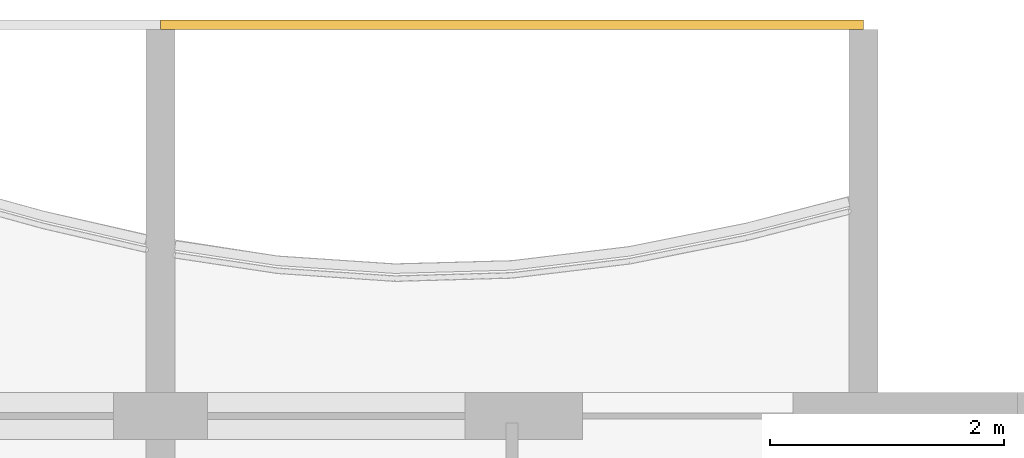
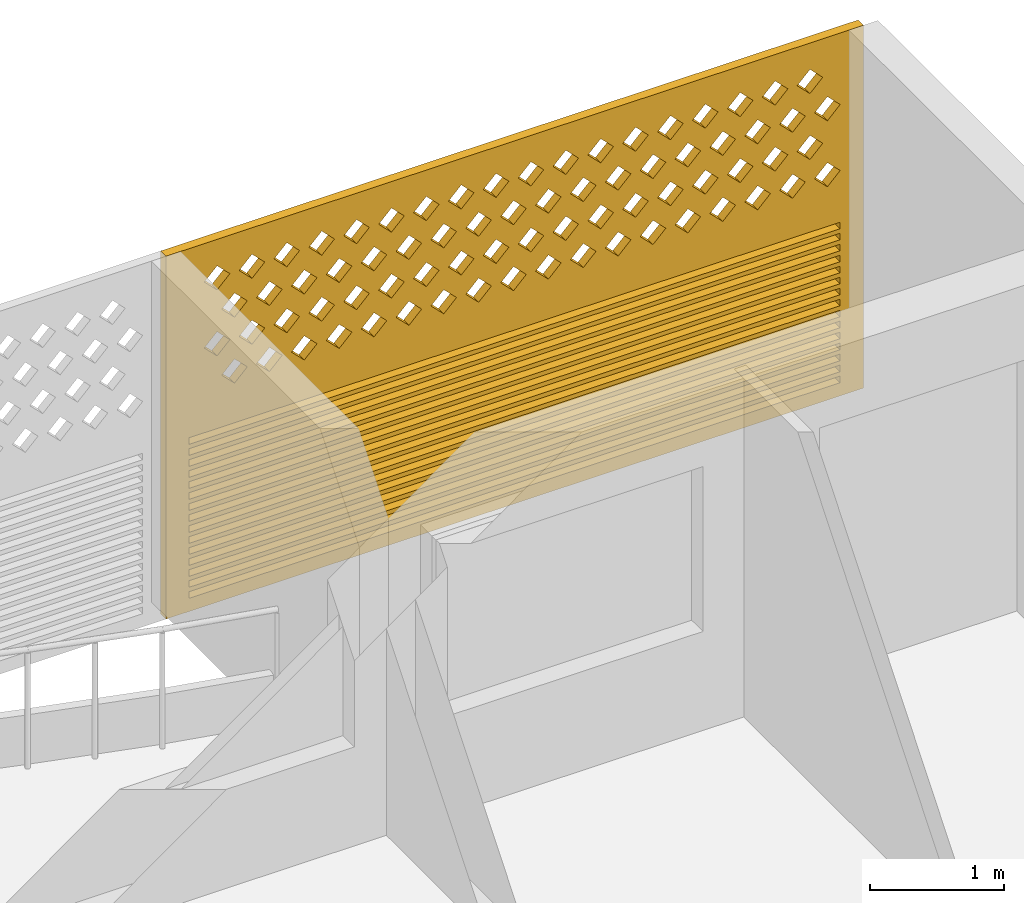
# One storey, part 26 of 26: 1 covering.
"""IFC4 building model written with IfcOpenShell, lengths in metres."""

from ifc_helpers import new_model, si_unit, direction, frame, origin, place, context, subcontext, project, spatial, polyline, outline, extrude, source, transform, mapped, material, material_profile, profile_set, type_object, element, save


model = new_model("IFC4")

# Units and contexts
model_context = context("Model", 3, precision=1e-05, world=origin(), true_north=direction((0.0, 1.0)))
body_context = subcontext(model_context, "Body", "Model", "MODEL_VIEW")
ifc_project = project(units=[si_unit("LENGTHUNIT", "METRE"), si_unit("AREAUNIT", "SQUARE_METRE"), si_unit("VOLUMEUNIT", "CUBIC_METRE"), si_unit("PLANEANGLEUNIT", "RADIAN"), si_unit("MASSUNIT", "GRAM", prefix="KILO")], contexts=[model_context])

# Site, building, storey
site_placement = place(None, origin())
site = spatial("IfcSite", under=ifc_project, at=site_placement, CompositionType="ELEMENT")
building_placement = place(site_placement, origin())
building = spatial("IfcBuilding", under=site, at=building_placement, Name="Poui Terraces", CompositionType="ELEMENT")
storey_placement = place(building_placement, frame((0.0, 0.0, 178.5)))
storey = spatial("IfcBuildingStorey", under=building, at=storey_placement, Name="L49", CompositionType="ELEMENT", Elevation=178.5)

# Covering
ifc_material = material(Name="Terracotta screen", Category="masonry")
ifc_material_profile = material_profile(ifc_material, outline(polyline([(-3.0, -1.64990234375), (3.0, -1.64990234375), (3.0, 1.64990234375), (-3.0, 1.64990234375), (-3.0, -1.64990234375)]), holes=[polyline([(-2.800048828125, 0.39990234375), (-2.68994140625, 0.2900390625), (-2.580078125, 0.39990234375), (-2.68994140625, 0.510009765625), (-2.800048828125, 0.39990234375)]), polyline([(-2.5, 0.39990234375), (-2.389892578125, 0.2900390625), (-2.280029296875, 0.39990234375), (-2.389892578125, 0.510009765625), (-2.5, 0.39990234375)]), polyline([(-2.199951171875, 0.39990234375), (-2.090087890625, 0.2900390625), (-1.97998046875, 0.39990234375), (-2.090087890625, 0.510009765625), (-2.199951171875, 0.39990234375)]), polyline([(-1.89990234375, 0.39990234375), (-1.7900390625, 0.2900390625), (-1.679931640625, 0.39990234375), (-1.7900390625, 0.510009765625), (-1.89990234375, 0.39990234375)]), polyline([(-1.60009765625, 0.39990234375), (-1.489990234375, 0.2900390625), (-1.3798828125, 0.39990234375), (-1.489990234375, 0.510009765625), (-1.60009765625, 0.39990234375)]), polyline([(-1.300048828125, 0.39990234375), (-1.18994140625, 0.2900390625), (-1.080078125, 0.39990234375), (-1.18994140625, 0.510009765625), (-1.300048828125, 0.39990234375)]), polyline([(-1.0, 0.39990234375), (-0.889892578125, 0.2900390625), (-0.780029296875, 0.39990234375), (-0.889892578125, 0.510009765625), (-1.0, 0.39990234375)]), polyline([(-0.699951171875, 0.39990234375), (-0.590087890625, 0.2900390625), (-0.47998046875, 0.39990234375), (-0.590087890625, 0.510009765625), (-0.699951171875, 0.39990234375)]), polyline([(-0.39990234375, 0.39990234375), (-0.2900390625, 0.2900390625), (-0.179931640625, 0.39990234375), (-0.2900390625, 0.510009765625), (-0.39990234375, 0.39990234375)]), polyline([(-0.10009765625, 0.39990234375), (0.010009765625, 0.2900390625), (0.1201171875, 0.39990234375), (0.010009765625, 0.510009765625), (-0.10009765625, 0.39990234375)]), polyline([(0.199951171875, 0.39990234375), (0.31005859375, 0.2900390625), (0.419921875, 0.39990234375), (0.31005859375, 0.510009765625), (0.199951171875, 0.39990234375)]), polyline([(0.5, 0.39990234375), (0.610107421875, 0.2900390625), (0.719970703125, 0.39990234375), (0.610107421875, 0.510009765625), (0.5, 0.39990234375)]), polyline([(0.800048828125, 0.39990234375), (0.909912109375, 0.2900390625), (1.02001953125, 0.39990234375), (0.909912109375, 0.510009765625), (0.800048828125, 0.39990234375)]), polyline([(1.10009765625, 0.39990234375), (1.2099609375, 0.2900390625), (1.320068359375, 0.39990234375), (1.2099609375, 0.510009765625), (1.10009765625, 0.39990234375)]), polyline([(1.39990234375, 0.39990234375), (1.510009765625, 0.2900390625), (1.6201171875, 0.39990234375), (1.510009765625, 0.510009765625), (1.39990234375, 0.39990234375)]), polyline([(1.699951171875, 0.39990234375), (1.81005859375, 0.2900390625), (1.919921875, 0.39990234375), (1.81005859375, 0.510009765625), (1.699951171875, 0.39990234375)]), polyline([(2.0, 0.39990234375), (2.110107421875, 0.2900390625), (2.219970703125, 0.39990234375), (2.110107421875, 0.510009765625), (2.0, 0.39990234375)]), polyline([(2.300048828125, 0.39990234375), (2.409912109375, 0.2900390625), (2.52001953125, 0.39990234375), (2.409912109375, 0.510009765625), (2.300048828125, 0.39990234375)]), polyline([(-2.64990234375, 0.699951171875), (-2.5400390625, 0.590087890625), (-2.429931640625, 0.699951171875), (-2.5400390625, 0.81005859375), (-2.64990234375, 0.699951171875)]), polyline([(-2.35009765625, 0.699951171875), (-2.239990234375, 0.590087890625), (-2.1298828125, 0.699951171875), (-2.239990234375, 0.81005859375), (-2.35009765625, 0.699951171875)]), polyline([(-2.050048828125, 0.699951171875), (-1.93994140625, 0.590087890625), (-1.830078125, 0.699951171875), (-1.93994140625, 0.81005859375), (-2.050048828125, 0.699951171875)]), polyline([(-1.75, 0.699951171875), (-1.639892578125, 0.590087890625), (-1.530029296875, 0.699951171875), (-1.639892578125, 0.81005859375), (-1.75, 0.699951171875)]), polyline([(-1.449951171875, 0.699951171875), (-1.340087890625, 0.590087890625), (-1.22998046875, 0.699951171875), (-1.340087890625, 0.81005859375), (-1.449951171875, 0.699951171875)]), polyline([(-1.14990234375, 0.699951171875), (-1.0400390625, 0.590087890625), (-0.929931640625, 0.699951171875), (-1.0400390625, 0.81005859375), (-1.14990234375, 0.699951171875)]), polyline([(-0.85009765625, 0.699951171875), (-0.739990234375, 0.590087890625), (-0.6298828125, 0.699951171875), (-0.739990234375, 0.81005859375), (-0.85009765625, 0.699951171875)]), polyline([(-0.550048828125, 0.699951171875), (-0.43994140625, 0.590087890625), (-0.330078125, 0.699951171875), (-0.43994140625, 0.81005859375), (-0.550048828125, 0.699951171875)]), polyline([(-0.25, 0.699951171875), (-0.139892578125, 0.590087890625), (-0.030029296875, 0.699951171875), (-0.139892578125, 0.81005859375), (-0.25, 0.699951171875)]), polyline([(0.050048828125, 0.699951171875), (0.159912109375, 0.590087890625), (0.27001953125, 0.699951171875), (0.159912109375, 0.81005859375), (0.050048828125, 0.699951171875)]), polyline([(0.35009765625, 0.699951171875), (0.4599609375, 0.590087890625), (0.570068359375, 0.699951171875), (0.4599609375, 0.81005859375), (0.35009765625, 0.699951171875)]), polyline([(0.64990234375, 0.699951171875), (0.760009765625, 0.590087890625), (0.8701171875, 0.699951171875), (0.760009765625, 0.81005859375), (0.64990234375, 0.699951171875)]), polyline([(0.949951171875, 0.699951171875), (1.06005859375, 0.590087890625), (1.169921875, 0.699951171875), (1.06005859375, 0.81005859375), (0.949951171875, 0.699951171875)]), polyline([(1.25, 0.699951171875), (1.360107421875, 0.590087890625), (1.469970703125, 0.699951171875), (1.360107421875, 0.81005859375), (1.25, 0.699951171875)]), polyline([(1.550048828125, 0.699951171875), (1.659912109375, 0.590087890625), (1.77001953125, 0.699951171875), (1.659912109375, 0.81005859375), (1.550048828125, 0.699951171875)]), polyline([(1.85009765625, 0.699951171875), (1.9599609375, 0.590087890625), (2.070068359375, 0.699951171875), (1.9599609375, 0.81005859375), (1.85009765625, 0.699951171875)]), polyline([(2.14990234375, 0.699951171875), (2.260009765625, 0.590087890625), (2.3701171875, 0.699951171875), (2.260009765625, 0.81005859375), (2.14990234375, 0.699951171875)]), polyline([(2.449951171875, 0.699951171875), (2.56005859375, 0.590087890625), (2.669921875, 0.699951171875), (2.56005859375, 0.81005859375), (2.449951171875, 0.699951171875)]), polyline([(-2.800048828125, 1.0), (-2.68994140625, 0.889892578125), (-2.580078125, 1.0), (-2.68994140625, 1.110107421875), (-2.800048828125, 1.0)]), polyline([(-2.5, 1.0), (-2.389892578125, 0.889892578125), (-2.280029296875, 1.0), (-2.389892578125, 1.110107421875), (-2.5, 1.0)]), polyline([(-2.199951171875, 1.0), (-2.090087890625, 0.889892578125), (-1.97998046875, 1.0), (-2.090087890625, 1.110107421875), (-2.199951171875, 1.0)]), polyline([(-1.89990234375, 1.0), (-1.7900390625, 0.889892578125), (-1.679931640625, 1.0), (-1.7900390625, 1.110107421875), (-1.89990234375, 1.0)]), polyline([(-1.60009765625, 1.0), (-1.489990234375, 0.889892578125), (-1.3798828125, 1.0), (-1.489990234375, 1.110107421875), (-1.60009765625, 1.0)]), polyline([(-1.300048828125, 1.0), (-1.18994140625, 0.889892578125), (-1.080078125, 1.0), (-1.18994140625, 1.110107421875), (-1.300048828125, 1.0)]), polyline([(-1.0, 1.0), (-0.889892578125, 0.889892578125), (-0.780029296875, 1.0), (-0.889892578125, 1.110107421875), (-1.0, 1.0)]), polyline([(-0.699951171875, 1.0), (-0.590087890625, 0.889892578125), (-0.47998046875, 1.0), (-0.590087890625, 1.110107421875), (-0.699951171875, 1.0)]), polyline([(-0.39990234375, 1.0), (-0.2900390625, 0.889892578125), (-0.179931640625, 1.0), (-0.2900390625, 1.110107421875), (-0.39990234375, 1.0)]), polyline([(-0.10009765625, 1.0), (0.010009765625, 0.889892578125), (0.1201171875, 1.0), (0.010009765625, 1.110107421875), (-0.10009765625, 1.0)]), polyline([(0.199951171875, 1.0), (0.31005859375, 0.889892578125), (0.419921875, 1.0), (0.31005859375, 1.110107421875), (0.199951171875, 1.0)]), polyline([(0.5, 1.0), (0.610107421875, 0.889892578125), (0.719970703125, 1.0), (0.610107421875, 1.110107421875), (0.5, 1.0)]), polyline([(0.800048828125, 1.0), (0.909912109375, 0.889892578125), (1.02001953125, 1.0), (0.909912109375, 1.110107421875), (0.800048828125, 1.0)]), polyline([(1.10009765625, 1.0), (1.2099609375, 0.889892578125), (1.320068359375, 1.0), (1.2099609375, 1.110107421875), (1.10009765625, 1.0)]), polyline([(1.39990234375, 1.0), (1.510009765625, 0.889892578125), (1.6201171875, 1.0), (1.510009765625, 1.110107421875), (1.39990234375, 1.0)]), polyline([(1.699951171875, 1.0), (1.81005859375, 0.889892578125), (1.919921875, 1.0), (1.81005859375, 1.110107421875), (1.699951171875, 1.0)]), polyline([(2.0, 1.0), (2.110107421875, 0.889892578125), (2.219970703125, 1.0), (2.110107421875, 1.110107421875), (2.0, 1.0)]), polyline([(2.300048828125, 1.0), (2.409912109375, 0.889892578125), (2.52001953125, 1.0), (2.409912109375, 1.110107421875), (2.300048828125, 1.0)]), polyline([(-2.64990234375, 1.300048828125), (-2.5400390625, 1.18994140625), (-2.429931640625, 1.300048828125), (-2.5400390625, 1.409912109375), (-2.64990234375, 1.300048828125)]), polyline([(-2.35009765625, 1.300048828125), (-2.239990234375, 1.18994140625), (-2.1298828125, 1.300048828125), (-2.239990234375, 1.409912109375), (-2.35009765625, 1.300048828125)]), polyline([(-2.050048828125, 1.300048828125), (-1.93994140625, 1.18994140625), (-1.830078125, 1.300048828125), (-1.93994140625, 1.409912109375), (-2.050048828125, 1.300048828125)]), polyline([(-1.75, 1.300048828125), (-1.639892578125, 1.18994140625), (-1.530029296875, 1.300048828125), (-1.639892578125, 1.409912109375), (-1.75, 1.300048828125)]), polyline([(-1.449951171875, 1.300048828125), (-1.340087890625, 1.18994140625), (-1.22998046875, 1.300048828125), (-1.340087890625, 1.409912109375), (-1.449951171875, 1.300048828125)]), polyline([(-1.14990234375, 1.300048828125), (-1.0400390625, 1.18994140625), (-0.929931640625, 1.300048828125), (-1.0400390625, 1.409912109375), (-1.14990234375, 1.300048828125)]), polyline([(-0.85009765625, 1.300048828125), (-0.739990234375, 1.18994140625), (-0.6298828125, 1.300048828125), (-0.739990234375, 1.409912109375), (-0.85009765625, 1.300048828125)]), polyline([(-0.550048828125, 1.300048828125), (-0.43994140625, 1.18994140625), (-0.330078125, 1.300048828125), (-0.43994140625, 1.409912109375), (-0.550048828125, 1.300048828125)]), polyline([(-0.25, 1.300048828125), (-0.139892578125, 1.18994140625), (-0.030029296875, 1.300048828125), (-0.139892578125, 1.409912109375), (-0.25, 1.300048828125)]), polyline([(0.050048828125, 1.300048828125), (0.159912109375, 1.18994140625), (0.27001953125, 1.300048828125), (0.159912109375, 1.409912109375), (0.050048828125, 1.300048828125)]), polyline([(0.35009765625, 1.300048828125), (0.4599609375, 1.18994140625), (0.570068359375, 1.300048828125), (0.4599609375, 1.409912109375), (0.35009765625, 1.300048828125)]), polyline([(0.64990234375, 1.300048828125), (0.760009765625, 1.18994140625), (0.8701171875, 1.300048828125), (0.760009765625, 1.409912109375), (0.64990234375, 1.300048828125)]), polyline([(0.949951171875, 1.300048828125), (1.06005859375, 1.18994140625), (1.169921875, 1.300048828125), (1.06005859375, 1.409912109375), (0.949951171875, 1.300048828125)]), polyline([(1.25, 1.300048828125), (1.360107421875, 1.18994140625), (1.469970703125, 1.300048828125), (1.360107421875, 1.409912109375), (1.25, 1.300048828125)]), polyline([(1.550048828125, 1.300048828125), (1.659912109375, 1.18994140625), (1.77001953125, 1.300048828125), (1.659912109375, 1.409912109375), (1.550048828125, 1.300048828125)]), polyline([(1.85009765625, 1.300048828125), (1.9599609375, 1.18994140625), (2.070068359375, 1.300048828125), (1.9599609375, 1.409912109375), (1.85009765625, 1.300048828125)]), polyline([(2.14990234375, 1.300048828125), (2.260009765625, 1.18994140625), (2.3701171875, 1.300048828125), (2.260009765625, 1.409912109375), (2.14990234375, 1.300048828125)]), polyline([(2.449951171875, 1.300048828125), (2.56005859375, 1.18994140625), (2.669921875, 1.300048828125), (2.56005859375, 1.409912109375), (2.449951171875, 1.300048828125)]), polyline([(-2.800048828125, -1.530029296875), (2.800048828125, -1.530029296875), (2.800048828125, -1.469970703125), (-2.800048828125, -1.469970703125), (-2.800048828125, -1.530029296875)]), polyline([(-2.800048828125, -1.429931640625), (2.800048828125, -1.429931640625), (2.800048828125, -1.3701171875), (-2.800048828125, -1.3701171875), (-2.800048828125, -1.429931640625)]), polyline([(-2.800048828125, -1.330078125), (2.800048828125, -1.330078125), (2.800048828125, -1.27001953125), (-2.800048828125, -1.27001953125), (-2.800048828125, -1.330078125)]), polyline([(-2.800048828125, -1.22998046875), (2.800048828125, -1.22998046875), (2.800048828125, -1.169921875), (-2.800048828125, -1.169921875), (-2.800048828125, -1.22998046875)]), polyline([(-2.800048828125, -1.1298828125), (2.800048828125, -1.1298828125), (2.800048828125, -1.070068359375), (-2.800048828125, -1.070068359375), (-2.800048828125, -1.1298828125)]), polyline([(-2.800048828125, -1.030029296875), (2.800048828125, -1.030029296875), (2.800048828125, -0.969970703125), (-2.800048828125, -0.969970703125), (-2.800048828125, -1.030029296875)]), polyline([(-2.800048828125, -0.929931640625), (2.800048828125, -0.929931640625), (2.800048828125, -0.8701171875), (-2.800048828125, -0.8701171875), (-2.800048828125, -0.929931640625)]), polyline([(-2.800048828125, -0.830078125), (2.800048828125, -0.830078125), (2.800048828125, -0.77001953125), (-2.800048828125, -0.77001953125), (-2.800048828125, -0.830078125)]), polyline([(-2.800048828125, -0.72998046875), (2.800048828125, -0.72998046875), (2.800048828125, -0.669921875), (-2.800048828125, -0.669921875), (-2.800048828125, -0.72998046875)]), polyline([(-2.800048828125, -0.6298828125), (2.800048828125, -0.6298828125), (2.800048828125, -0.570068359375), (-2.800048828125, -0.570068359375), (-2.800048828125, -0.6298828125)]), polyline([(-2.800048828125, -0.530029296875), (2.800048828125, -0.530029296875), (2.800048828125, -0.469970703125), (-2.800048828125, -0.469970703125), (-2.800048828125, -0.530029296875)]), polyline([(-2.800048828125, -0.429931640625), (2.800048828125, -0.429931640625), (2.800048828125, -0.3701171875), (-2.800048828125, -0.3701171875), (-2.800048828125, -0.429931640625)]), polyline([(-2.800048828125, -0.330078125), (2.800048828125, -0.330078125), (2.800048828125, -0.27001953125), (-2.800048828125, -0.27001953125), (-2.800048828125, -0.330078125)]), polyline([(-2.800048828125, -0.22998046875), (2.800048828125, -0.22998046875), (2.800048828125, -0.169921875), (-2.800048828125, -0.169921875), (-2.800048828125, -0.22998046875)]), polyline([(-2.800048828125, -0.1298828125), (2.800048828125, -0.1298828125), (2.800048828125, -0.070068359375), (-2.800048828125, -0.070068359375), (-2.800048828125, -0.1298828125)])]), Name="TERRACOTTA SCREEN AND JALOUSIE LOUVRE 6000X3300")
ifc_profile_set = profile_set([ifc_material_profile], Name="Terracotta screen")
covering_type = type_object("IfcCoveringType", Name="TERRACOTTA SCREEN AND JALOUSIE LOUVRE 6000X3300", PredefinedType="CLADDING", material=ifc_profile_set)
shared_shape = source(origin(), body_context, "Body", "SweptSolid", [
    extrude(outline(polyline([(-3.0, -1.64990234375), (3.0, -1.64990234375), (3.0, 1.64990234375), (-3.0, 1.64990234375), (-3.0, -1.64990234375)]), holes=[polyline([(-2.800048828125, 0.39990234375), (-2.68994140625, 0.2900390625), (-2.580078125, 0.39990234375), (-2.68994140625, 0.510009765625), (-2.800048828125, 0.39990234375)]), polyline([(-2.5, 0.39990234375), (-2.389892578125, 0.2900390625), (-2.280029296875, 0.39990234375), (-2.389892578125, 0.510009765625), (-2.5, 0.39990234375)]), polyline([(-2.199951171875, 0.39990234375), (-2.090087890625, 0.2900390625), (-1.97998046875, 0.39990234375), (-2.090087890625, 0.510009765625), (-2.199951171875, 0.39990234375)]), polyline([(-1.89990234375, 0.39990234375), (-1.7900390625, 0.2900390625), (-1.679931640625, 0.39990234375), (-1.7900390625, 0.510009765625), (-1.89990234375, 0.39990234375)]), polyline([(-1.60009765625, 0.39990234375), (-1.489990234375, 0.2900390625), (-1.3798828125, 0.39990234375), (-1.489990234375, 0.510009765625), (-1.60009765625, 0.39990234375)]), polyline([(-1.300048828125, 0.39990234375), (-1.18994140625, 0.2900390625), (-1.080078125, 0.39990234375), (-1.18994140625, 0.510009765625), (-1.300048828125, 0.39990234375)]), polyline([(-1.0, 0.39990234375), (-0.889892578125, 0.2900390625), (-0.780029296875, 0.39990234375), (-0.889892578125, 0.510009765625), (-1.0, 0.39990234375)]), polyline([(-0.699951171875, 0.39990234375), (-0.590087890625, 0.2900390625), (-0.47998046875, 0.39990234375), (-0.590087890625, 0.510009765625), (-0.699951171875, 0.39990234375)]), polyline([(-0.39990234375, 0.39990234375), (-0.2900390625, 0.2900390625), (-0.179931640625, 0.39990234375), (-0.2900390625, 0.510009765625), (-0.39990234375, 0.39990234375)]), polyline([(-0.10009765625, 0.39990234375), (0.010009765625, 0.2900390625), (0.1201171875, 0.39990234375), (0.010009765625, 0.510009765625), (-0.10009765625, 0.39990234375)]), polyline([(0.199951171875, 0.39990234375), (0.31005859375, 0.2900390625), (0.419921875, 0.39990234375), (0.31005859375, 0.510009765625), (0.199951171875, 0.39990234375)]), polyline([(0.5, 0.39990234375), (0.610107421875, 0.2900390625), (0.719970703125, 0.39990234375), (0.610107421875, 0.510009765625), (0.5, 0.39990234375)]), polyline([(0.800048828125, 0.39990234375), (0.909912109375, 0.2900390625), (1.02001953125, 0.39990234375), (0.909912109375, 0.510009765625), (0.800048828125, 0.39990234375)]), polyline([(1.10009765625, 0.39990234375), (1.2099609375, 0.2900390625), (1.320068359375, 0.39990234375), (1.2099609375, 0.510009765625), (1.10009765625, 0.39990234375)]), polyline([(1.39990234375, 0.39990234375), (1.510009765625, 0.2900390625), (1.6201171875, 0.39990234375), (1.510009765625, 0.510009765625), (1.39990234375, 0.39990234375)]), polyline([(1.699951171875, 0.39990234375), (1.81005859375, 0.2900390625), (1.919921875, 0.39990234375), (1.81005859375, 0.510009765625), (1.699951171875, 0.39990234375)]), polyline([(2.0, 0.39990234375), (2.110107421875, 0.2900390625), (2.219970703125, 0.39990234375), (2.110107421875, 0.510009765625), (2.0, 0.39990234375)]), polyline([(2.300048828125, 0.39990234375), (2.409912109375, 0.2900390625), (2.52001953125, 0.39990234375), (2.409912109375, 0.510009765625), (2.300048828125, 0.39990234375)]), polyline([(-2.64990234375, 0.699951171875), (-2.5400390625, 0.590087890625), (-2.429931640625, 0.699951171875), (-2.5400390625, 0.81005859375), (-2.64990234375, 0.699951171875)]), polyline([(-2.35009765625, 0.699951171875), (-2.239990234375, 0.590087890625), (-2.1298828125, 0.699951171875), (-2.239990234375, 0.81005859375), (-2.35009765625, 0.699951171875)]), polyline([(-2.050048828125, 0.699951171875), (-1.93994140625, 0.590087890625), (-1.830078125, 0.699951171875), (-1.93994140625, 0.81005859375), (-2.050048828125, 0.699951171875)]), polyline([(-1.75, 0.699951171875), (-1.639892578125, 0.590087890625), (-1.530029296875, 0.699951171875), (-1.639892578125, 0.81005859375), (-1.75, 0.699951171875)]), polyline([(-1.449951171875, 0.699951171875), (-1.340087890625, 0.590087890625), (-1.22998046875, 0.699951171875), (-1.340087890625, 0.81005859375), (-1.449951171875, 0.699951171875)]), polyline([(-1.14990234375, 0.699951171875), (-1.0400390625, 0.590087890625), (-0.929931640625, 0.699951171875), (-1.0400390625, 0.81005859375), (-1.14990234375, 0.699951171875)]), polyline([(-0.85009765625, 0.699951171875), (-0.739990234375, 0.590087890625), (-0.6298828125, 0.699951171875), (-0.739990234375, 0.81005859375), (-0.85009765625, 0.699951171875)]), polyline([(-0.550048828125, 0.699951171875), (-0.43994140625, 0.590087890625), (-0.330078125, 0.699951171875), (-0.43994140625, 0.81005859375), (-0.550048828125, 0.699951171875)]), polyline([(-0.25, 0.699951171875), (-0.139892578125, 0.590087890625), (-0.030029296875, 0.699951171875), (-0.139892578125, 0.81005859375), (-0.25, 0.699951171875)]), polyline([(0.050048828125, 0.699951171875), (0.159912109375, 0.590087890625), (0.27001953125, 0.699951171875), (0.159912109375, 0.81005859375), (0.050048828125, 0.699951171875)]), polyline([(0.35009765625, 0.699951171875), (0.4599609375, 0.590087890625), (0.570068359375, 0.699951171875), (0.4599609375, 0.81005859375), (0.35009765625, 0.699951171875)]), polyline([(0.64990234375, 0.699951171875), (0.760009765625, 0.590087890625), (0.8701171875, 0.699951171875), (0.760009765625, 0.81005859375), (0.64990234375, 0.699951171875)]), polyline([(0.949951171875, 0.699951171875), (1.06005859375, 0.590087890625), (1.169921875, 0.699951171875), (1.06005859375, 0.81005859375), (0.949951171875, 0.699951171875)]), polyline([(1.25, 0.699951171875), (1.360107421875, 0.590087890625), (1.469970703125, 0.699951171875), (1.360107421875, 0.81005859375), (1.25, 0.699951171875)]), polyline([(1.550048828125, 0.699951171875), (1.659912109375, 0.590087890625), (1.77001953125, 0.699951171875), (1.659912109375, 0.81005859375), (1.550048828125, 0.699951171875)]), polyline([(1.85009765625, 0.699951171875), (1.9599609375, 0.590087890625), (2.070068359375, 0.699951171875), (1.9599609375, 0.81005859375), (1.85009765625, 0.699951171875)]), polyline([(2.14990234375, 0.699951171875), (2.260009765625, 0.590087890625), (2.3701171875, 0.699951171875), (2.260009765625, 0.81005859375), (2.14990234375, 0.699951171875)]), polyline([(2.449951171875, 0.699951171875), (2.56005859375, 0.590087890625), (2.669921875, 0.699951171875), (2.56005859375, 0.81005859375), (2.449951171875, 0.699951171875)]), polyline([(-2.800048828125, 1.0), (-2.68994140625, 0.889892578125), (-2.580078125, 1.0), (-2.68994140625, 1.110107421875), (-2.800048828125, 1.0)]), polyline([(-2.5, 1.0), (-2.389892578125, 0.889892578125), (-2.280029296875, 1.0), (-2.389892578125, 1.110107421875), (-2.5, 1.0)]), polyline([(-2.199951171875, 1.0), (-2.090087890625, 0.889892578125), (-1.97998046875, 1.0), (-2.090087890625, 1.110107421875), (-2.199951171875, 1.0)]), polyline([(-1.89990234375, 1.0), (-1.7900390625, 0.889892578125), (-1.679931640625, 1.0), (-1.7900390625, 1.110107421875), (-1.89990234375, 1.0)]), polyline([(-1.60009765625, 1.0), (-1.489990234375, 0.889892578125), (-1.3798828125, 1.0), (-1.489990234375, 1.110107421875), (-1.60009765625, 1.0)]), polyline([(-1.300048828125, 1.0), (-1.18994140625, 0.889892578125), (-1.080078125, 1.0), (-1.18994140625, 1.110107421875), (-1.300048828125, 1.0)]), polyline([(-1.0, 1.0), (-0.889892578125, 0.889892578125), (-0.780029296875, 1.0), (-0.889892578125, 1.110107421875), (-1.0, 1.0)]), polyline([(-0.699951171875, 1.0), (-0.590087890625, 0.889892578125), (-0.47998046875, 1.0), (-0.590087890625, 1.110107421875), (-0.699951171875, 1.0)]), polyline([(-0.39990234375, 1.0), (-0.2900390625, 0.889892578125), (-0.179931640625, 1.0), (-0.2900390625, 1.110107421875), (-0.39990234375, 1.0)]), polyline([(-0.10009765625, 1.0), (0.010009765625, 0.889892578125), (0.1201171875, 1.0), (0.010009765625, 1.110107421875), (-0.10009765625, 1.0)]), polyline([(0.199951171875, 1.0), (0.31005859375, 0.889892578125), (0.419921875, 1.0), (0.31005859375, 1.110107421875), (0.199951171875, 1.0)]), polyline([(0.5, 1.0), (0.610107421875, 0.889892578125), (0.719970703125, 1.0), (0.610107421875, 1.110107421875), (0.5, 1.0)]), polyline([(0.800048828125, 1.0), (0.909912109375, 0.889892578125), (1.02001953125, 1.0), (0.909912109375, 1.110107421875), (0.800048828125, 1.0)]), polyline([(1.10009765625, 1.0), (1.2099609375, 0.889892578125), (1.320068359375, 1.0), (1.2099609375, 1.110107421875), (1.10009765625, 1.0)]), polyline([(1.39990234375, 1.0), (1.510009765625, 0.889892578125), (1.6201171875, 1.0), (1.510009765625, 1.110107421875), (1.39990234375, 1.0)]), polyline([(1.699951171875, 1.0), (1.81005859375, 0.889892578125), (1.919921875, 1.0), (1.81005859375, 1.110107421875), (1.699951171875, 1.0)]), polyline([(2.0, 1.0), (2.110107421875, 0.889892578125), (2.219970703125, 1.0), (2.110107421875, 1.110107421875), (2.0, 1.0)]), polyline([(2.300048828125, 1.0), (2.409912109375, 0.889892578125), (2.52001953125, 1.0), (2.409912109375, 1.110107421875), (2.300048828125, 1.0)]), polyline([(-2.64990234375, 1.300048828125), (-2.5400390625, 1.18994140625), (-2.429931640625, 1.300048828125), (-2.5400390625, 1.409912109375), (-2.64990234375, 1.300048828125)]), polyline([(-2.35009765625, 1.300048828125), (-2.239990234375, 1.18994140625), (-2.1298828125, 1.300048828125), (-2.239990234375, 1.409912109375), (-2.35009765625, 1.300048828125)]), polyline([(-2.050048828125, 1.300048828125), (-1.93994140625, 1.18994140625), (-1.830078125, 1.300048828125), (-1.93994140625, 1.409912109375), (-2.050048828125, 1.300048828125)]), polyline([(-1.75, 1.300048828125), (-1.639892578125, 1.18994140625), (-1.530029296875, 1.300048828125), (-1.639892578125, 1.409912109375), (-1.75, 1.300048828125)]), polyline([(-1.449951171875, 1.300048828125), (-1.340087890625, 1.18994140625), (-1.22998046875, 1.300048828125), (-1.340087890625, 1.409912109375), (-1.449951171875, 1.300048828125)]), polyline([(-1.14990234375, 1.300048828125), (-1.0400390625, 1.18994140625), (-0.929931640625, 1.300048828125), (-1.0400390625, 1.409912109375), (-1.14990234375, 1.300048828125)]), polyline([(-0.85009765625, 1.300048828125), (-0.739990234375, 1.18994140625), (-0.6298828125, 1.300048828125), (-0.739990234375, 1.409912109375), (-0.85009765625, 1.300048828125)]), polyline([(-0.550048828125, 1.300048828125), (-0.43994140625, 1.18994140625), (-0.330078125, 1.300048828125), (-0.43994140625, 1.409912109375), (-0.550048828125, 1.300048828125)]), polyline([(-0.25, 1.300048828125), (-0.139892578125, 1.18994140625), (-0.030029296875, 1.300048828125), (-0.139892578125, 1.409912109375), (-0.25, 1.300048828125)]), polyline([(0.050048828125, 1.300048828125), (0.159912109375, 1.18994140625), (0.27001953125, 1.300048828125), (0.159912109375, 1.409912109375), (0.050048828125, 1.300048828125)]), polyline([(0.35009765625, 1.300048828125), (0.4599609375, 1.18994140625), (0.570068359375, 1.300048828125), (0.4599609375, 1.409912109375), (0.35009765625, 1.300048828125)]), polyline([(0.64990234375, 1.300048828125), (0.760009765625, 1.18994140625), (0.8701171875, 1.300048828125), (0.760009765625, 1.409912109375), (0.64990234375, 1.300048828125)]), polyline([(0.949951171875, 1.300048828125), (1.06005859375, 1.18994140625), (1.169921875, 1.300048828125), (1.06005859375, 1.409912109375), (0.949951171875, 1.300048828125)]), polyline([(1.25, 1.300048828125), (1.360107421875, 1.18994140625), (1.469970703125, 1.300048828125), (1.360107421875, 1.409912109375), (1.25, 1.300048828125)]), polyline([(1.550048828125, 1.300048828125), (1.659912109375, 1.18994140625), (1.77001953125, 1.300048828125), (1.659912109375, 1.409912109375), (1.550048828125, 1.300048828125)]), polyline([(1.85009765625, 1.300048828125), (1.9599609375, 1.18994140625), (2.070068359375, 1.300048828125), (1.9599609375, 1.409912109375), (1.85009765625, 1.300048828125)]), polyline([(2.14990234375, 1.300048828125), (2.260009765625, 1.18994140625), (2.3701171875, 1.300048828125), (2.260009765625, 1.409912109375), (2.14990234375, 1.300048828125)]), polyline([(2.449951171875, 1.300048828125), (2.56005859375, 1.18994140625), (2.669921875, 1.300048828125), (2.56005859375, 1.409912109375), (2.449951171875, 1.300048828125)]), polyline([(-2.800048828125, -1.530029296875), (2.800048828125, -1.530029296875), (2.800048828125, -1.469970703125), (-2.800048828125, -1.469970703125), (-2.800048828125, -1.530029296875)]), polyline([(-2.800048828125, -1.429931640625), (2.800048828125, -1.429931640625), (2.800048828125, -1.3701171875), (-2.800048828125, -1.3701171875), (-2.800048828125, -1.429931640625)]), polyline([(-2.800048828125, -1.330078125), (2.800048828125, -1.330078125), (2.800048828125, -1.27001953125), (-2.800048828125, -1.27001953125), (-2.800048828125, -1.330078125)]), polyline([(-2.800048828125, -1.22998046875), (2.800048828125, -1.22998046875), (2.800048828125, -1.169921875), (-2.800048828125, -1.169921875), (-2.800048828125, -1.22998046875)]), polyline([(-2.800048828125, -1.1298828125), (2.800048828125, -1.1298828125), (2.800048828125, -1.070068359375), (-2.800048828125, -1.070068359375), (-2.800048828125, -1.1298828125)]), polyline([(-2.800048828125, -1.030029296875), (2.800048828125, -1.030029296875), (2.800048828125, -0.969970703125), (-2.800048828125, -0.969970703125), (-2.800048828125, -1.030029296875)]), polyline([(-2.800048828125, -0.929931640625), (2.800048828125, -0.929931640625), (2.800048828125, -0.8701171875), (-2.800048828125, -0.8701171875), (-2.800048828125, -0.929931640625)]), polyline([(-2.800048828125, -0.830078125), (2.800048828125, -0.830078125), (2.800048828125, -0.77001953125), (-2.800048828125, -0.77001953125), (-2.800048828125, -0.830078125)]), polyline([(-2.800048828125, -0.72998046875), (2.800048828125, -0.72998046875), (2.800048828125, -0.669921875), (-2.800048828125, -0.669921875), (-2.800048828125, -0.72998046875)]), polyline([(-2.800048828125, -0.6298828125), (2.800048828125, -0.6298828125), (2.800048828125, -0.570068359375), (-2.800048828125, -0.570068359375), (-2.800048828125, -0.6298828125)]), polyline([(-2.800048828125, -0.530029296875), (2.800048828125, -0.530029296875), (2.800048828125, -0.469970703125), (-2.800048828125, -0.469970703125), (-2.800048828125, -0.530029296875)]), polyline([(-2.800048828125, -0.429931640625), (2.800048828125, -0.429931640625), (2.800048828125, -0.3701171875), (-2.800048828125, -0.3701171875), (-2.800048828125, -0.429931640625)]), polyline([(-2.800048828125, -0.330078125), (2.800048828125, -0.330078125), (2.800048828125, -0.27001953125), (-2.800048828125, -0.27001953125), (-2.800048828125, -0.330078125)]), polyline([(-2.800048828125, -0.22998046875), (2.800048828125, -0.22998046875), (2.800048828125, -0.169921875), (-2.800048828125, -0.169921875), (-2.800048828125, -0.22998046875)]), polyline([(-2.800048828125, -0.1298828125), (2.800048828125, -0.1298828125), (2.800048828125, -0.070068359375), (-2.800048828125, -0.070068359375), (-2.800048828125, -0.1298828125)])]), origin(), (0.0, 0.0, 1.0), 0.080078125),
])
covering_placement = place(storey_placement, frame((75.0, 44.5, 1.449951171875), z_axis=(0.0, 1.0, 0.0), x_axis=(-1.0, 0.0, 0.0)))
element("IfcCovering", 1, at=covering_placement, inside=storey, type_object=covering_type, Name="SOLAR SCREEN AND JALOUSIE LOUVRE", PredefinedType="CLADDING", context=body_context, shape_type="MappedRepresentation", body=[
    mapped(shared_shape, transform((0.0, 0.0, 0.0))),
])

save(model, "model.ifc")
